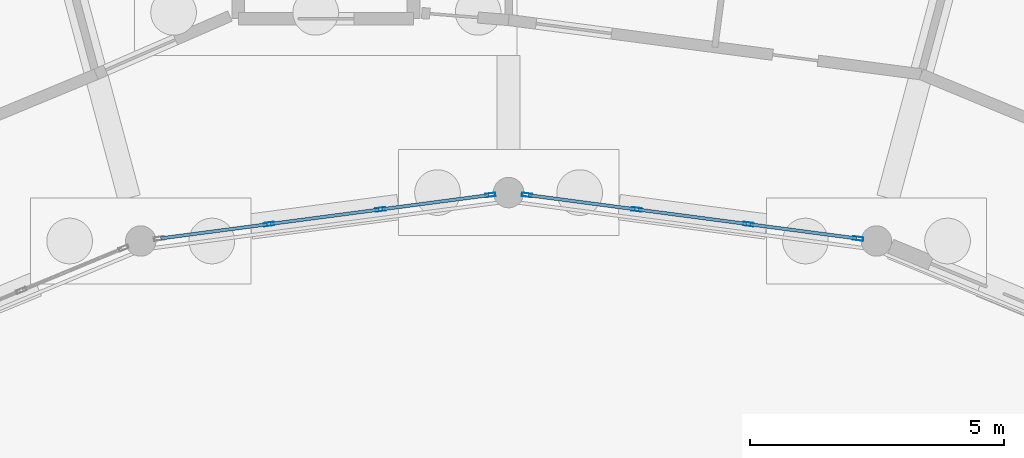
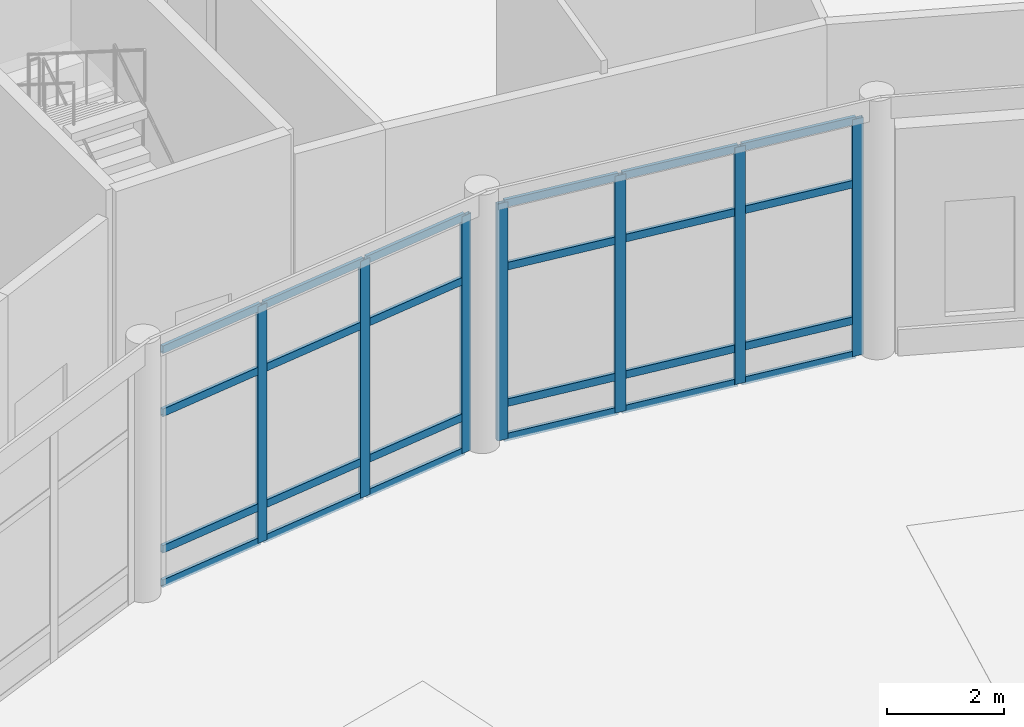
# One storey, part 60 of 137: 31 members, 2 elements without a shape of their own.
"""IFC4 building model written with IfcOpenShell, lengths in metres."""

from ifc_helpers import new_model, si_unit, direction, frame, origin, origin_2d, place, context, subcontext, project, spatial, hollow_rectangle, extrude, material, material_profile, profile_set, type_object, element, aggregate, save


model = new_model("IFC4")

# Units and contexts
model_context = context("Model", 3, precision=1e-05, world=origin(), true_north=direction((0.0, 1.0)))
body_context = subcontext(model_context, "Body", "Model", "MODEL_VIEW")
ifc_project = project(units=[si_unit("LENGTHUNIT", "METRE"), si_unit("AREAUNIT", "SQUARE_METRE"), si_unit("VOLUMEUNIT", "CUBIC_METRE"), si_unit("PLANEANGLEUNIT", "RADIAN"), si_unit("MASSUNIT", "GRAM", prefix="KILO")], contexts=[model_context])

# Site, building, storey
site_placement = place(None, origin())
site = spatial("IfcSite", under=ifc_project, at=site_placement, CompositionType="ELEMENT")
building_placement = place(site_placement, origin())
building = spatial("IfcBuilding", under=site, at=building_placement, Name="Vondelvale Polytechnic", CompositionType="ELEMENT")
storey_placement = place(building_placement, origin())
storey = spatial("IfcBuildingStorey", under=building, at=storey_placement, Name="L00", CompositionType="ELEMENT", Elevation=0.0)

# Curtain wall, members
ifc_material = material(Name="Anodised extruded aluminium 6063-T6", Category="aluminium")
curtain_wall_type = type_object("IfcCurtainWallType", Name="CW-RING-CLOISTER", PredefinedType="NOTDEFINED", material=ifc_material)
curtain_wall_1_placement = place(storey_placement, origin())
curtain_wall_1 = element("IfcCurtainWall", 1, at=curtain_wall_1_placement, inside=storey, type_object=curtain_wall_type, Name="L00 architectural curtain wall CW-03-131", PredefinedType="NOTDEFINED")
ifc_material_profile_1 = material_profile(ifc_material, hollow_rectangle(XDim=0.070068359375, YDim=0.199951171875, WallThickness=0.00390625, at=origin_2d()), Name="CW-MUL-200x70")
ifc_profile_set_1 = profile_set([ifc_material_profile_1], Name="Anodised extruded aluminium 6063-T6")
member_type_1 = type_object("IfcMemberType", Name="CW-MUL-70x200", PredefinedType="MULLION", material=ifc_profile_set_1)
member_1_placement = place(storey_placement, frame((108.886474609375, 99.09326171875, 0.0), z_axis=(0.0, 0.0, 1.0), x_axis=(-0.130528007165, -0.99144462243, 0.0)))
member_1 = element("IfcMember", 2, at=member_1_placement, type_object=member_type_1, Name="CW-03-131 mullion 1", PredefinedType="MULLION", context=body_context, shape_type="SweptSolid", body=[
    extrude(hollow_rectangle(XDim=0.070068359375, YDim=0.199951171875, WallThickness=0.00390625, at=origin_2d()), origin(), (0.0, 0.0, 1.0), 4.949951171875),
])
member_2_placement = place(storey_placement, frame((106.72265625, 99.378173828125, 0.0), z_axis=(0.0, 0.0, 1.0), x_axis=(-0.130528007165, -0.99144462243, 0.0)))
member_2 = element("IfcMember", 3, at=member_2_placement, type_object=member_type_1, Name="CW-03-131 mullion 2", PredefinedType="MULLION", context=body_context, shape_type="SweptSolid", body=[
    extrude(hollow_rectangle(XDim=0.070068359375, YDim=0.199951171875, WallThickness=0.00390625, at=origin_2d()), origin(), (0.0, 0.0, 1.0), 4.949951171875),
])
member_3_placement = place(storey_placement, frame((104.524169921875, 99.667724609375, 0.0), z_axis=(0.0, 0.0, 1.0), x_axis=(-0.130528007165, -0.99144462243, 0.0)))
member_3 = element("IfcMember", 4, at=member_3_placement, type_object=member_type_1, Name="CW-03-131 mullion 3", PredefinedType="MULLION", context=body_context, shape_type="SweptSolid", body=[
    extrude(hollow_rectangle(XDim=0.070068359375, YDim=0.199951171875, WallThickness=0.00390625, at=origin_2d()), origin(), (0.0, 0.0, 1.0), 4.949951171875),
])
member_4_placement = place(storey_placement, frame((102.360595703125, 99.95263671875, 0.0), z_axis=(0.0, 0.0, 1.0), x_axis=(-0.130528007165, -0.99144462243, 0.0)))
member_4 = element("IfcMember", 5, at=member_4_placement, type_object=member_type_1, Name="CW-03-131 mullion 4", PredefinedType="MULLION", context=body_context, shape_type="SweptSolid", body=[
    extrude(hollow_rectangle(XDim=0.070068359375, YDim=0.199951171875, WallThickness=0.00390625, at=origin_2d()), origin(), (0.0, 0.0, 1.0), 4.949951171875),
])

curtain_wall_2_placement = place(storey_placement, origin())
curtain_wall_2 = element("IfcCurtainWall", 6, at=curtain_wall_2_placement, inside=storey, type_object=curtain_wall_type, Name="L00 architectural curtain wall CW-03-151", PredefinedType="NOTDEFINED")
member_5_placement = place(storey_placement, frame((101.639404296875, 99.95263671875, 0.0), z_axis=(0.0, 0.0, 1.0), x_axis=(0.130528007165, -0.99144462243, 0.0)))
member_5 = element("IfcMember", 7, at=member_5_placement, type_object=member_type_1, Name="CW-03-151 mullion 1", PredefinedType="MULLION", context=body_context, shape_type="SweptSolid", body=[
    extrude(hollow_rectangle(XDim=0.070068359375, YDim=0.199951171875, WallThickness=0.00390625, at=origin_2d()), origin(), (0.0, 0.0, 1.0), 4.949951171875),
])
member_6_placement = place(storey_placement, frame((99.475830078125, 99.667724609375, 0.0), z_axis=(0.0, 0.0, 1.0), x_axis=(0.130528007165, -0.99144462243, 0.0)))
member_6 = element("IfcMember", 8, at=member_6_placement, type_object=member_type_1, Name="CW-03-151 mullion 2", PredefinedType="MULLION", context=body_context, shape_type="SweptSolid", body=[
    extrude(hollow_rectangle(XDim=0.070068359375, YDim=0.199951171875, WallThickness=0.00390625, at=origin_2d()), origin(), (0.0, 0.0, 1.0), 4.949951171875),
])
member_7_placement = place(storey_placement, frame((97.27734375, 99.378173828125, 0.0), z_axis=(0.0, 0.0, 1.0), x_axis=(0.130528007165, -0.99144462243, 0.0)))
member_7 = element("IfcMember", 9, at=member_7_placement, type_object=member_type_1, Name="CW-03-151 mullion 3", PredefinedType="MULLION", context=body_context, shape_type="SweptSolid", body=[
    extrude(hollow_rectangle(XDim=0.070068359375, YDim=0.199951171875, WallThickness=0.00390625, at=origin_2d()), origin(), (0.0, 0.0, 1.0), 4.949951171875),
])

# Member
ifc_material_profile_2 = material_profile(ifc_material, hollow_rectangle(XDim=0.06494140625, YDim=0.159912109375, WallThickness=0.00341796875, at=origin_2d()), Name="CW-TRN-160x65")
ifc_profile_set_2 = profile_set([ifc_material_profile_2], Name="Anodised extruded aluminium 6063-T6")
member_type_2 = type_object("IfcMemberType", Name="CW-TRN-70x160", PredefinedType="USERDEFINED", material=ifc_profile_set_2)
member_8_placement = place(storey_placement, frame((108.851806640625, 99.097900390625, 0.032470703125), z_axis=(-0.991436585775, 0.130589036243, 0.0), x_axis=(-0.130589036243, -0.991436585775, 0.0)))
member_8 = element("IfcMember", 10, at=member_8_placement, type_object=member_type_2, Name="CW-03-131 transom 1.1", ObjectType="TRANSOM", PredefinedType="USERDEFINED", context=body_context, shape_type="SweptSolid", body=[
    extrude(hollow_rectangle(XDim=0.06494140625, YDim=0.159912109375, WallThickness=0.00341796875, at=origin_2d()), origin(), (0.0, 0.0, 1.0), 2.112548828125),
])

member_9_placement = place(storey_placement, frame((108.851806640625, 99.097900390625, 0.75), z_axis=(-0.991436585775, 0.130589036243, 0.0), x_axis=(-0.130589036243, -0.991436585775, 0.0)))
member_9 = element("IfcMember", 11, at=member_9_placement, type_object=member_type_2, Name="CW-03-131 transom 1.2", ObjectType="TRANSOM", PredefinedType="USERDEFINED", context=body_context, shape_type="SweptSolid", body=[
    extrude(hollow_rectangle(XDim=0.06494140625, YDim=0.159912109375, WallThickness=0.00341796875, at=origin_2d()), origin(), (0.0, 0.0, 1.0), 2.112548828125),
])

member_10_placement = place(storey_placement, frame((108.851806640625, 99.097900390625, 3.60009765625), z_axis=(-0.991436585775, 0.130589036243, 0.0), x_axis=(-0.130589036243, -0.991436585775, 0.0)))
member_10 = element("IfcMember", 12, at=member_10_placement, type_object=member_type_2, Name="CW-03-131 transom 1.3", ObjectType="TRANSOM", PredefinedType="USERDEFINED", context=body_context, shape_type="SweptSolid", body=[
    extrude(hollow_rectangle(XDim=0.06494140625, YDim=0.159912109375, WallThickness=0.00341796875, at=origin_2d()), origin(), (0.0, 0.0, 1.0), 2.112548828125),
])

member_11_placement = place(storey_placement, frame((108.851806640625, 99.097900390625, 4.91748046875), z_axis=(-0.991436585775, 0.130589036243, 0.0), x_axis=(-0.130589036243, -0.991436585775, 0.0)))
member_11 = element("IfcMember", 13, at=member_11_placement, type_object=member_type_2, Name="CW-03-131 transom 1.4", ObjectType="TRANSOM", PredefinedType="USERDEFINED", context=body_context, shape_type="SweptSolid", body=[
    extrude(hollow_rectangle(XDim=0.06494140625, YDim=0.159912109375, WallThickness=0.00341796875, at=origin_2d()), origin(), (0.0, 0.0, 1.0), 2.112548828125),
])

member_12_placement = place(storey_placement, frame((106.68798828125, 99.3828125, 0.032470703125), z_axis=(-0.991446941977, 0.1305103875, 0.0), x_axis=(-0.1305103875, -0.991446941977, 0.0)))
member_12 = element("IfcMember", 14, at=member_12_placement, type_object=member_type_2, Name="CW-03-131 transom 2.1", ObjectType="TRANSOM", PredefinedType="USERDEFINED", context=body_context, shape_type="SweptSolid", body=[
    extrude(hollow_rectangle(XDim=0.06494140625, YDim=0.159912109375, WallThickness=0.00341796875, at=origin_2d()), origin(), (0.0, 0.0, 1.0), 2.1474609375),
])

member_13_placement = place(storey_placement, frame((106.68798828125, 99.3828125, 0.75), z_axis=(-0.991446941977, 0.1305103875, 0.0), x_axis=(-0.1305103875, -0.991446941977, 0.0)))
member_13 = element("IfcMember", 15, at=member_13_placement, type_object=member_type_2, Name="CW-03-131 transom 2.2", ObjectType="TRANSOM", PredefinedType="USERDEFINED", context=body_context, shape_type="SweptSolid", body=[
    extrude(hollow_rectangle(XDim=0.06494140625, YDim=0.159912109375, WallThickness=0.00341796875, at=origin_2d()), origin(), (0.0, 0.0, 1.0), 2.1474609375),
])

member_14_placement = place(storey_placement, frame((106.68798828125, 99.3828125, 3.60009765625), z_axis=(-0.991446941977, 0.1305103875, 0.0), x_axis=(-0.1305103875, -0.991446941977, 0.0)))
member_14 = element("IfcMember", 16, at=member_14_placement, type_object=member_type_2, Name="CW-03-131 transom 2.3", ObjectType="TRANSOM", PredefinedType="USERDEFINED", context=body_context, shape_type="SweptSolid", body=[
    extrude(hollow_rectangle(XDim=0.06494140625, YDim=0.159912109375, WallThickness=0.00341796875, at=origin_2d()), origin(), (0.0, 0.0, 1.0), 2.1474609375),
])

member_15_placement = place(storey_placement, frame((106.68798828125, 99.3828125, 4.91748046875), z_axis=(-0.991446941977, 0.1305103875, 0.0), x_axis=(-0.1305103875, -0.991446941977, 0.0)))
member_15 = element("IfcMember", 17, at=member_15_placement, type_object=member_type_2, Name="CW-03-131 transom 2.4", ObjectType="TRANSOM", PredefinedType="USERDEFINED", context=body_context, shape_type="SweptSolid", body=[
    extrude(hollow_rectangle(XDim=0.06494140625, YDim=0.159912109375, WallThickness=0.00341796875, at=origin_2d()), origin(), (0.0, 0.0, 1.0), 2.1474609375),
])

member_16_placement = place(storey_placement, frame((104.489501953125, 99.672119140625, 0.032470703125), z_axis=(-0.99143461464, 0.130604000296, 0.0), x_axis=(-0.130604000296, -0.99143461464, 0.0)))
member_16 = element("IfcMember", 18, at=member_16_placement, type_object=member_type_2, Name="CW-03-131 transom 3.1", ObjectType="TRANSOM", PredefinedType="USERDEFINED", context=body_context, shape_type="SweptSolid", body=[
    extrude(hollow_rectangle(XDim=0.06494140625, YDim=0.159912109375, WallThickness=0.00341796875, at=origin_2d()), origin(), (0.0, 0.0, 1.0), 2.1123046875),
])

member_17_placement = place(storey_placement, frame((104.489501953125, 99.672119140625, 0.75), z_axis=(-0.99143461464, 0.130604000296, 0.0), x_axis=(-0.130604000296, -0.99143461464, 0.0)))
member_17 = element("IfcMember", 19, at=member_17_placement, type_object=member_type_2, Name="CW-03-131 transom 3.2", ObjectType="TRANSOM", PredefinedType="USERDEFINED", context=body_context, shape_type="SweptSolid", body=[
    extrude(hollow_rectangle(XDim=0.06494140625, YDim=0.159912109375, WallThickness=0.00341796875, at=origin_2d()), origin(), (0.0, 0.0, 1.0), 2.1123046875),
])

member_18_placement = place(storey_placement, frame((104.489501953125, 99.672119140625, 3.60009765625), z_axis=(-0.99143461464, 0.130604000296, 0.0), x_axis=(-0.130604000296, -0.99143461464, 0.0)))
member_18 = element("IfcMember", 20, at=member_18_placement, type_object=member_type_2, Name="CW-03-131 transom 3.3", ObjectType="TRANSOM", PredefinedType="USERDEFINED", context=body_context, shape_type="SweptSolid", body=[
    extrude(hollow_rectangle(XDim=0.06494140625, YDim=0.159912109375, WallThickness=0.00341796875, at=origin_2d()), origin(), (0.0, 0.0, 1.0), 2.1123046875),
])

member_19_placement = place(storey_placement, frame((104.489501953125, 99.672119140625, 4.91748046875), z_axis=(-0.99143461464, 0.130604000296, 0.0), x_axis=(-0.130604000296, -0.99143461464, 0.0)))
member_19 = element("IfcMember", 21, at=member_19_placement, type_object=member_type_2, Name="CW-03-131 transom 3.4", ObjectType="TRANSOM", PredefinedType="USERDEFINED", context=body_context, shape_type="SweptSolid", body=[
    extrude(hollow_rectangle(XDim=0.06494140625, YDim=0.159912109375, WallThickness=0.00341796875, at=origin_2d()), origin(), (0.0, 0.0, 1.0), 2.1123046875),
])

aggregate(curtain_wall_1, [member_1, member_2, member_3, member_4, member_8, member_9, member_10, member_11, member_12, member_13, member_14, member_15, member_16, member_17, member_18, member_19])

member_20_placement = place(storey_placement, frame((101.604736328125, 99.947998046875, 0.032470703125), z_axis=(-0.99143461464, -0.130604000296, 0.0), x_axis=(0.130604000296, -0.99143461464, 0.0)))
member_20 = element("IfcMember", 22, at=member_20_placement, type_object=member_type_2, Name="CW-03-151 transom 1.1", ObjectType="TRANSOM", PredefinedType="USERDEFINED", context=body_context, shape_type="SweptSolid", body=[
    extrude(hollow_rectangle(XDim=0.06494140625, YDim=0.159912109375, WallThickness=0.00341796875, at=origin_2d()), origin(), (0.0, 0.0, 1.0), 2.1123046875),
])

member_21_placement = place(storey_placement, frame((101.604736328125, 99.947998046875, 0.75), z_axis=(-0.99143461464, -0.130604000296, 0.0), x_axis=(0.130604000296, -0.99143461464, 0.0)))
member_21 = element("IfcMember", 23, at=member_21_placement, type_object=member_type_2, Name="CW-03-151 transom 1.2", ObjectType="TRANSOM", PredefinedType="USERDEFINED", context=body_context, shape_type="SweptSolid", body=[
    extrude(hollow_rectangle(XDim=0.06494140625, YDim=0.159912109375, WallThickness=0.00341796875, at=origin_2d()), origin(), (0.0, 0.0, 1.0), 2.1123046875),
])

member_22_placement = place(storey_placement, frame((101.604736328125, 99.947998046875, 3.60009765625), z_axis=(-0.99143461464, -0.130604000296, 0.0), x_axis=(0.130604000296, -0.99143461464, 0.0)))
member_22 = element("IfcMember", 24, at=member_22_placement, type_object=member_type_2, Name="CW-03-151 transom 1.3", ObjectType="TRANSOM", PredefinedType="USERDEFINED", context=body_context, shape_type="SweptSolid", body=[
    extrude(hollow_rectangle(XDim=0.06494140625, YDim=0.159912109375, WallThickness=0.00341796875, at=origin_2d()), origin(), (0.0, 0.0, 1.0), 2.1123046875),
])

member_23_placement = place(storey_placement, frame((101.604736328125, 99.947998046875, 4.91748046875), z_axis=(-0.99143461464, -0.130604000296, 0.0), x_axis=(0.130604000296, -0.99143461464, 0.0)))
member_23 = element("IfcMember", 25, at=member_23_placement, type_object=member_type_2, Name="CW-03-151 transom 1.4", ObjectType="TRANSOM", PredefinedType="USERDEFINED", context=body_context, shape_type="SweptSolid", body=[
    extrude(hollow_rectangle(XDim=0.06494140625, YDim=0.159912109375, WallThickness=0.00341796875, at=origin_2d()), origin(), (0.0, 0.0, 1.0), 2.1123046875),
])

member_24_placement = place(storey_placement, frame((99.441162109375, 99.6630859375, 0.032470703125), z_axis=(-0.991446941977, -0.1305103875, 0.0), x_axis=(0.1305103875, -0.991446941977, 0.0)))
member_24 = element("IfcMember", 26, at=member_24_placement, type_object=member_type_2, Name="CW-03-151 transom 2.1", ObjectType="TRANSOM", PredefinedType="USERDEFINED", context=body_context, shape_type="SweptSolid", body=[
    extrude(hollow_rectangle(XDim=0.06494140625, YDim=0.159912109375, WallThickness=0.00341796875, at=origin_2d()), origin(), (0.0, 0.0, 1.0), 2.1474609375),
])

member_25_placement = place(storey_placement, frame((99.441162109375, 99.6630859375, 0.75), z_axis=(-0.991446941977, -0.1305103875, 0.0), x_axis=(0.1305103875, -0.991446941977, 0.0)))
member_25 = element("IfcMember", 27, at=member_25_placement, type_object=member_type_2, Name="CW-03-151 transom 2.2", ObjectType="TRANSOM", PredefinedType="USERDEFINED", context=body_context, shape_type="SweptSolid", body=[
    extrude(hollow_rectangle(XDim=0.06494140625, YDim=0.159912109375, WallThickness=0.00341796875, at=origin_2d()), origin(), (0.0, 0.0, 1.0), 2.1474609375),
])

member_26_placement = place(storey_placement, frame((99.441162109375, 99.6630859375, 3.60009765625), z_axis=(-0.991446941977, -0.1305103875, 0.0), x_axis=(0.1305103875, -0.991446941977, 0.0)))
member_26 = element("IfcMember", 28, at=member_26_placement, type_object=member_type_2, Name="CW-03-151 transom 2.3", ObjectType="TRANSOM", PredefinedType="USERDEFINED", context=body_context, shape_type="SweptSolid", body=[
    extrude(hollow_rectangle(XDim=0.06494140625, YDim=0.159912109375, WallThickness=0.00341796875, at=origin_2d()), origin(), (0.0, 0.0, 1.0), 2.1474609375),
])

member_27_placement = place(storey_placement, frame((99.441162109375, 99.6630859375, 4.91748046875), z_axis=(-0.991446941977, -0.1305103875, 0.0), x_axis=(0.1305103875, -0.991446941977, 0.0)))
member_27 = element("IfcMember", 29, at=member_27_placement, type_object=member_type_2, Name="CW-03-151 transom 2.4", ObjectType="TRANSOM", PredefinedType="USERDEFINED", context=body_context, shape_type="SweptSolid", body=[
    extrude(hollow_rectangle(XDim=0.06494140625, YDim=0.159912109375, WallThickness=0.00341796875, at=origin_2d()), origin(), (0.0, 0.0, 1.0), 2.1474609375),
])

member_28_placement = place(storey_placement, frame((97.24267578125, 99.373779296875, 0.032470703125), z_axis=(-0.991436585775, -0.130589036243, 0.0), x_axis=(0.130589036243, -0.991436585775, 0.0)))
member_28 = element("IfcMember", 30, at=member_28_placement, type_object=member_type_2, Name="CW-03-151 transom 3.1", ObjectType="TRANSOM", PredefinedType="USERDEFINED", context=body_context, shape_type="SweptSolid", body=[
    extrude(hollow_rectangle(XDim=0.06494140625, YDim=0.159912109375, WallThickness=0.00341796875, at=origin_2d()), origin(), (0.0, 0.0, 1.0), 2.112548828125),
])

member_29_placement = place(storey_placement, frame((97.24267578125, 99.373779296875, 0.75), z_axis=(-0.991436585775, -0.130589036243, 0.0), x_axis=(0.130589036243, -0.991436585775, 0.0)))
member_29 = element("IfcMember", 31, at=member_29_placement, type_object=member_type_2, Name="CW-03-151 transom 3.2", ObjectType="TRANSOM", PredefinedType="USERDEFINED", context=body_context, shape_type="SweptSolid", body=[
    extrude(hollow_rectangle(XDim=0.06494140625, YDim=0.159912109375, WallThickness=0.00341796875, at=origin_2d()), origin(), (0.0, 0.0, 1.0), 2.112548828125),
])

member_30_placement = place(storey_placement, frame((97.24267578125, 99.373779296875, 3.60009765625), z_axis=(-0.991436585775, -0.130589036243, 0.0), x_axis=(0.130589036243, -0.991436585775, 0.0)))
member_30 = element("IfcMember", 32, at=member_30_placement, type_object=member_type_2, Name="CW-03-151 transom 3.3", ObjectType="TRANSOM", PredefinedType="USERDEFINED", context=body_context, shape_type="SweptSolid", body=[
    extrude(hollow_rectangle(XDim=0.06494140625, YDim=0.159912109375, WallThickness=0.00341796875, at=origin_2d()), origin(), (0.0, 0.0, 1.0), 2.112548828125),
])

member_31_placement = place(storey_placement, frame((97.24267578125, 99.373779296875, 4.91748046875), z_axis=(-0.991436585775, -0.130589036243, 0.0), x_axis=(0.130589036243, -0.991436585775, 0.0)))
member_31 = element("IfcMember", 33, at=member_31_placement, type_object=member_type_2, Name="CW-03-151 transom 3.4", ObjectType="TRANSOM", PredefinedType="USERDEFINED", context=body_context, shape_type="SweptSolid", body=[
    extrude(hollow_rectangle(XDim=0.06494140625, YDim=0.159912109375, WallThickness=0.00341796875, at=origin_2d()), origin(), (0.0, 0.0, 1.0), 2.112548828125),
])

aggregate(curtain_wall_2, [member_5, member_6, member_7, member_20, member_21, member_22, member_23, member_24, member_25, member_26, member_27, member_28, member_29, member_30, member_31])

save(model, "model.ifc")
